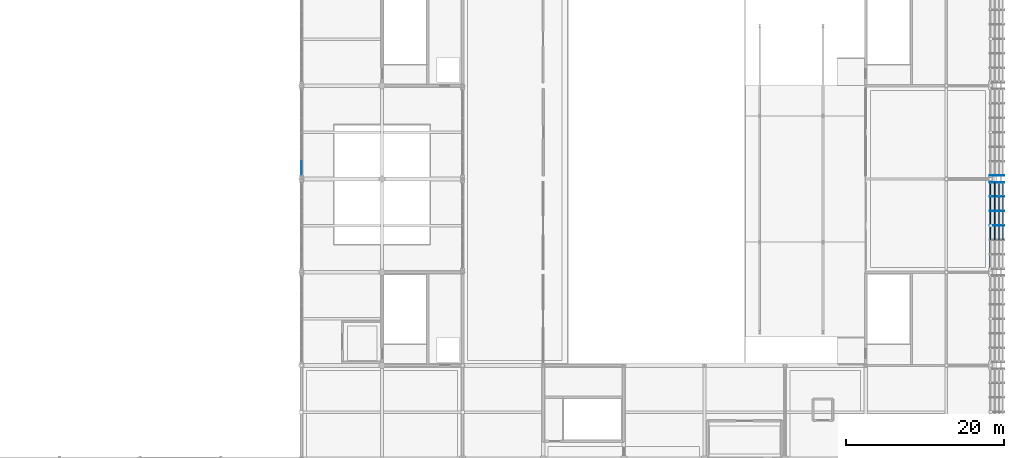
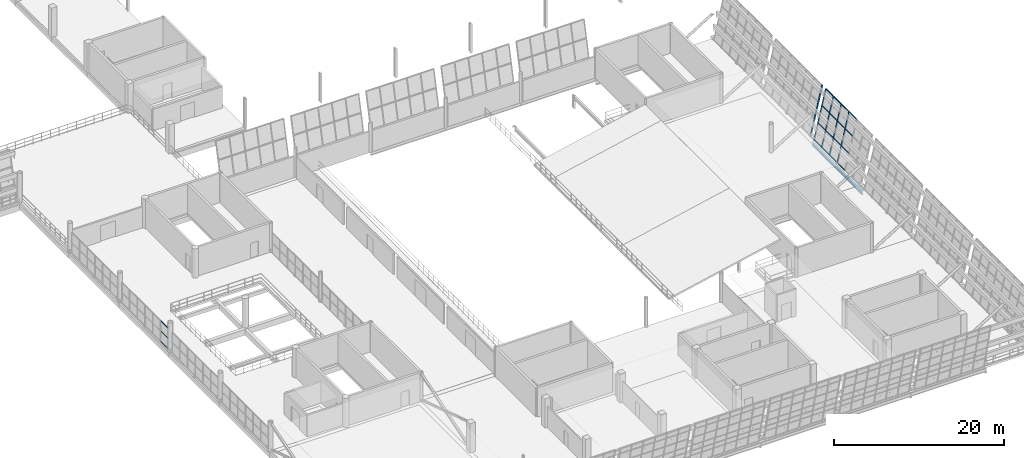
# One storey, part 68 of 157: 24 members, 1 beam, 3 elements without a shape of their own.
"""IFC4 building model written with IfcOpenShell, lengths in metres."""

from ifc_helpers import new_model, si_unit, direction, frame, origin, origin_2d, place, context, subcontext, project, spatial, hollow_rectangle, i_section, extrude, material, material_profile, profile_set, type_object, element, aggregate, save


model = new_model("IFC4")

# Units and contexts
model_context = context("Model", 3, precision=1e-05, world=origin(), true_north=direction((0.0, 1.0)))
body_context = subcontext(model_context, "Body", "Model", "MODEL_VIEW")
ifc_project = project(units=[si_unit("LENGTHUNIT", "METRE"), si_unit("AREAUNIT", "SQUARE_METRE"), si_unit("VOLUMEUNIT", "CUBIC_METRE"), si_unit("PLANEANGLEUNIT", "RADIAN"), si_unit("MASSUNIT", "GRAM", prefix="KILO")], contexts=[model_context])

# Site, building, storey
site_placement = place(None, origin())
site = spatial("IfcSite", under=ifc_project, at=site_placement, CompositionType="ELEMENT")
building_placement = place(site_placement, origin())
building = spatial("IfcBuilding", under=site, at=building_placement, Name="Brelvane Convention Centre", CompositionType="ELEMENT")
storey_placement = place(building_placement, frame((0.0, 0.0, 10.800048828125)))
storey = spatial("IfcBuildingStorey", under=building, at=storey_placement, Name="L02", CompositionType="ELEMENT", Elevation=10.800048828125)

# Curtain wall, members
ifc_material_1 = material(Name="Anodised Aluminium Alloy 6063-T6", Category="aluminium")
curtain_wall_type_1 = type_object("IfcCurtainWallType", Name="Curtain Wall CW-PLEN-E", PredefinedType="USERDEFINED", material=ifc_material_1)
curtain_wall_1_placement = place(storey_placement, origin())
curtain_wall_1 = element("IfcCurtainWall", 1, at=curtain_wall_1_placement, inside=storey, type_object=curtain_wall_type_1, Name="Curtain Wall CW-PLEN-E L02-HULL-E-L02-4", ObjectType="UNITISED", PredefinedType="USERDEFINED")
ifc_material_2 = material(Name="Anodised Aluminium Alloy 6063-T6", Category="aluminium")
ifc_material_profile_1 = material_profile(ifc_material_2, hollow_rectangle(XDim=0.074951171875, YDim=0.199951171875, WallThickness=0.0048828125, InnerFilletRadius=0.0048828125, OuterFilletRadius=0.010009765625, at=origin_2d()), Name="ALU-M 200x75x5.0")
ifc_profile_set_1 = profile_set([ifc_material_profile_1], Name="Anodised Aluminium Alloy 6063-T6")
member_type_1 = type_object("IfcMemberType", Name="Curtain Mullion CW-M2", PredefinedType="MULLION", material=ifc_profile_set_1)
member_1_placement = place(storey_placement, frame((230.0, 58.300048828125, 0.0), z_axis=(0.228360410362, 0.0, 0.973576665178), x_axis=(0.0, 1.0, 0.0)))
member_1 = element("IfcMember", 2, at=member_1_placement, type_object=member_type_1, Name="CW-PLEN-E mullion 4", PredefinedType="MULLION", context=body_context, shape_type="SweptSolid", body=[
    extrude(hollow_rectangle(XDim=0.074951171875, YDim=0.199951171875, WallThickness=0.0048828125, InnerFilletRadius=0.0048828125, OuterFilletRadius=0.010009765625, at=origin_2d()), origin(), (0.0, 0.0, 1.0), 7.03564453125),
])
member_2_placement = place(storey_placement, frame((230.0, 60.13330078125, 0.0), z_axis=(0.228360410362, 0.0, 0.973576665178), x_axis=(0.0, 1.0, 0.0)))
member_2 = element("IfcMember", 3, at=member_2_placement, type_object=member_type_1, Name="CW-PLEN-E mullion 5", PredefinedType="MULLION", context=body_context, shape_type="SweptSolid", body=[
    extrude(hollow_rectangle(XDim=0.074951171875, YDim=0.199951171875, WallThickness=0.0048828125, InnerFilletRadius=0.0048828125, OuterFilletRadius=0.010009765625, at=origin_2d()), origin(), (0.0, 0.0, 1.0), 7.03564453125),
])
member_3_placement = place(storey_placement, frame((230.0, 61.966552734375, 0.0), z_axis=(0.228360410362, 0.0, 0.973576665178), x_axis=(0.0, 1.0, 0.0)))
member_3 = element("IfcMember", 4, at=member_3_placement, type_object=member_type_1, Name="CW-PLEN-E mullion 6", PredefinedType="MULLION", context=body_context, shape_type="SweptSolid", body=[
    extrude(hollow_rectangle(XDim=0.074951171875, YDim=0.199951171875, WallThickness=0.0048828125, InnerFilletRadius=0.0048828125, OuterFilletRadius=0.010009765625, at=origin_2d()), origin(), (0.0, 0.0, 1.0), 7.03564453125),
])
member_4_placement = place(storey_placement, frame((230.0, 63.762451171875, 0.0), z_axis=(0.228360410362, 0.0, 0.973576665178), x_axis=(0.0, 1.0, 0.0)))
member_4 = element("IfcMember", 5, at=member_4_placement, type_object=member_type_1, Name="CW-PLEN-E mullion 7", PredefinedType="MULLION", context=body_context, shape_type="SweptSolid", body=[
    extrude(hollow_rectangle(XDim=0.074951171875, YDim=0.199951171875, WallThickness=0.0048828125, InnerFilletRadius=0.0048828125, OuterFilletRadius=0.010009765625, at=origin_2d()), origin(), (0.0, 0.0, 1.0), 7.03564453125),
])

# Curtain wall, member
curtain_wall_2_placement = place(storey_placement, origin())
curtain_wall_2 = element("IfcCurtainWall", 6, at=curtain_wall_2_placement, inside=storey, type_object=curtain_wall_type_1, Name="Curtain Wall CW-PLEN-E L02-HULL-E-L02-5", ObjectType="UNITISED", PredefinedType="USERDEFINED")
member_5_placement = place(storey_placement, frame((230.0, 64.637451171875, 0.0), z_axis=(0.228360410362, 0.0, 0.973576665178), x_axis=(0.0, 1.0, 0.0)))
member_5 = element("IfcMember", 7, at=member_5_placement, type_object=member_type_1, Name="CW-PLEN-E mullion 1", PredefinedType="MULLION", context=body_context, shape_type="SweptSolid", body=[
    extrude(hollow_rectangle(XDim=0.074951171875, YDim=0.199951171875, WallThickness=0.0048828125, InnerFilletRadius=0.0048828125, OuterFilletRadius=0.010009765625, at=origin_2d()), origin(), (0.0, 0.0, 1.0), 7.03564453125),
])
aggregate(curtain_wall_2, [member_5])

# Member
ifc_material_3 = material(Name="Anodised Aluminium Alloy 6063-T6", Category="aluminium")
ifc_material_profile_2 = material_profile(ifc_material_3, hollow_rectangle(XDim=0.070068359375, YDim=0.14990234375, WallThickness=0.00439453125, InnerFilletRadius=0.00439453125, OuterFilletRadius=0.009033203125, at=origin_2d()), Name="ALU-T 150x70x4.5")
ifc_profile_set_2 = profile_set([ifc_material_profile_2], Name="Anodised Aluminium Alloy 6063-T6")
member_type_2 = type_object("IfcMemberType", Name="Curtain Transom CW-T2", PredefinedType="USERDEFINED", material=ifc_profile_set_2)
member_6_placement = place(storey_placement, frame((230.00830078125, 56.504150390625, 0.034912109375), z_axis=(0.0, 1.0, 0.0), x_axis=(-1.0, 0.0, 0.0)))
member_6 = element("IfcMember", 8, at=member_6_placement, type_object=member_type_2, Name="CW-PLEN-E transom 3.1", ObjectType="TRANSOM", PredefinedType="USERDEFINED", context=body_context, shape_type="SweptSolid", body=[
    extrude(hollow_rectangle(XDim=0.070068359375, YDim=0.14990234375, WallThickness=0.00439453125, InnerFilletRadius=0.00439453125, OuterFilletRadius=0.009033203125, at=origin_2d()), origin(), (0.0, 0.0, 1.0), 1.75830078125),
])

member_7_placement = place(storey_placement, frame((230.53564453125, 56.504150390625, 2.283203125), z_axis=(0.0, 1.0, 0.0), x_axis=(-1.0, 0.0, 0.0)))
member_7 = element("IfcMember", 9, at=member_7_placement, type_object=member_type_2, Name="CW-PLEN-E transom 3.2", ObjectType="TRANSOM", PredefinedType="USERDEFINED", context=body_context, shape_type="SweptSolid", body=[
    extrude(hollow_rectangle(XDim=0.070068359375, YDim=0.14990234375, WallThickness=0.00439453125, InnerFilletRadius=0.00439453125, OuterFilletRadius=0.009033203125, at=origin_2d()), origin(), (0.0, 0.0, 1.0), 1.75830078125),
])

member_8_placement = place(storey_placement, frame((231.071044921875, 56.504150390625, 4.566650390625), z_axis=(0.0, 1.0, 0.0), x_axis=(-1.0, 0.0, 0.0)))
member_8 = element("IfcMember", 10, at=member_8_placement, type_object=member_type_2, Name="CW-PLEN-E transom 3.3", ObjectType="TRANSOM", PredefinedType="USERDEFINED", context=body_context, shape_type="SweptSolid", body=[
    extrude(hollow_rectangle(XDim=0.070068359375, YDim=0.14990234375, WallThickness=0.00439453125, InnerFilletRadius=0.00439453125, OuterFilletRadius=0.009033203125, at=origin_2d()), origin(), (0.0, 0.0, 1.0), 1.75830078125),
])

member_9_placement = place(storey_placement, frame((231.598388671875, 56.504150390625, 6.81494140625), z_axis=(0.0, 1.0, 0.0), x_axis=(-1.0, 0.0, 0.0)))
member_9 = element("IfcMember", 11, at=member_9_placement, type_object=member_type_2, Name="CW-PLEN-E transom 3.4", ObjectType="TRANSOM", PredefinedType="USERDEFINED", context=body_context, shape_type="SweptSolid", body=[
    extrude(hollow_rectangle(XDim=0.070068359375, YDim=0.14990234375, WallThickness=0.00439453125, InnerFilletRadius=0.00439453125, OuterFilletRadius=0.009033203125, at=origin_2d()), origin(), (0.0, 0.0, 1.0), 1.75830078125),
])

member_10_placement = place(storey_placement, frame((230.00830078125, 58.33740234375, 0.034912109375), z_axis=(0.0, 1.0, 0.0), x_axis=(-1.0, 0.0, 0.0)))
member_10 = element("IfcMember", 12, at=member_10_placement, type_object=member_type_2, Name="CW-PLEN-E transom 4.1", ObjectType="TRANSOM", PredefinedType="USERDEFINED", context=body_context, shape_type="SweptSolid", body=[
    extrude(hollow_rectangle(XDim=0.070068359375, YDim=0.14990234375, WallThickness=0.00439453125, InnerFilletRadius=0.00439453125, OuterFilletRadius=0.009033203125, at=origin_2d()), origin(), (0.0, 0.0, 1.0), 1.758544921875),
])

member_11_placement = place(storey_placement, frame((230.53564453125, 58.33740234375, 2.283203125), z_axis=(0.0, 1.0, 0.0), x_axis=(-1.0, 0.0, 0.0)))
member_11 = element("IfcMember", 13, at=member_11_placement, type_object=member_type_2, Name="CW-PLEN-E transom 4.2", ObjectType="TRANSOM", PredefinedType="USERDEFINED", context=body_context, shape_type="SweptSolid", body=[
    extrude(hollow_rectangle(XDim=0.070068359375, YDim=0.14990234375, WallThickness=0.00439453125, InnerFilletRadius=0.00439453125, OuterFilletRadius=0.009033203125, at=origin_2d()), origin(), (0.0, 0.0, 1.0), 1.758544921875),
])

member_12_placement = place(storey_placement, frame((231.071044921875, 58.33740234375, 4.566650390625), z_axis=(0.0, 1.0, 0.0), x_axis=(-1.0, 0.0, 0.0)))
member_12 = element("IfcMember", 14, at=member_12_placement, type_object=member_type_2, Name="CW-PLEN-E transom 4.3", ObjectType="TRANSOM", PredefinedType="USERDEFINED", context=body_context, shape_type="SweptSolid", body=[
    extrude(hollow_rectangle(XDim=0.070068359375, YDim=0.14990234375, WallThickness=0.00439453125, InnerFilletRadius=0.00439453125, OuterFilletRadius=0.009033203125, at=origin_2d()), origin(), (0.0, 0.0, 1.0), 1.758544921875),
])

member_13_placement = place(storey_placement, frame((231.598388671875, 58.33740234375, 6.81494140625), z_axis=(0.0, 1.0, 0.0), x_axis=(-1.0, 0.0, 0.0)))
member_13 = element("IfcMember", 15, at=member_13_placement, type_object=member_type_2, Name="CW-PLEN-E transom 4.4", ObjectType="TRANSOM", PredefinedType="USERDEFINED", context=body_context, shape_type="SweptSolid", body=[
    extrude(hollow_rectangle(XDim=0.070068359375, YDim=0.14990234375, WallThickness=0.00439453125, InnerFilletRadius=0.00439453125, OuterFilletRadius=0.009033203125, at=origin_2d()), origin(), (0.0, 0.0, 1.0), 1.758544921875),
])

member_14_placement = place(storey_placement, frame((230.00830078125, 60.1708984375, 0.034912109375), z_axis=(0.0, 1.0, 0.0), x_axis=(-1.0, 0.0, 0.0)))
member_14 = element("IfcMember", 16, at=member_14_placement, type_object=member_type_2, Name="CW-PLEN-E transom 5.1", ObjectType="TRANSOM", PredefinedType="USERDEFINED", context=body_context, shape_type="SweptSolid", body=[
    extrude(hollow_rectangle(XDim=0.070068359375, YDim=0.14990234375, WallThickness=0.00439453125, InnerFilletRadius=0.00439453125, OuterFilletRadius=0.009033203125, at=origin_2d()), origin(), (0.0, 0.0, 1.0), 1.75830078125),
])

member_15_placement = place(storey_placement, frame((230.53564453125, 60.1708984375, 2.283203125), z_axis=(0.0, 1.0, 0.0), x_axis=(-1.0, 0.0, 0.0)))
member_15 = element("IfcMember", 17, at=member_15_placement, type_object=member_type_2, Name="CW-PLEN-E transom 5.2", ObjectType="TRANSOM", PredefinedType="USERDEFINED", context=body_context, shape_type="SweptSolid", body=[
    extrude(hollow_rectangle(XDim=0.070068359375, YDim=0.14990234375, WallThickness=0.00439453125, InnerFilletRadius=0.00439453125, OuterFilletRadius=0.009033203125, at=origin_2d()), origin(), (0.0, 0.0, 1.0), 1.75830078125),
])

member_16_placement = place(storey_placement, frame((231.071044921875, 60.1708984375, 4.566650390625), z_axis=(0.0, 1.0, 0.0), x_axis=(-1.0, 0.0, 0.0)))
member_16 = element("IfcMember", 18, at=member_16_placement, type_object=member_type_2, Name="CW-PLEN-E transom 5.3", ObjectType="TRANSOM", PredefinedType="USERDEFINED", context=body_context, shape_type="SweptSolid", body=[
    extrude(hollow_rectangle(XDim=0.070068359375, YDim=0.14990234375, WallThickness=0.00439453125, InnerFilletRadius=0.00439453125, OuterFilletRadius=0.009033203125, at=origin_2d()), origin(), (0.0, 0.0, 1.0), 1.75830078125),
])

member_17_placement = place(storey_placement, frame((231.598388671875, 60.1708984375, 6.81494140625), z_axis=(0.0, 1.0, 0.0), x_axis=(-1.0, 0.0, 0.0)))
member_17 = element("IfcMember", 19, at=member_17_placement, type_object=member_type_2, Name="CW-PLEN-E transom 5.4", ObjectType="TRANSOM", PredefinedType="USERDEFINED", context=body_context, shape_type="SweptSolid", body=[
    extrude(hollow_rectangle(XDim=0.070068359375, YDim=0.14990234375, WallThickness=0.00439453125, InnerFilletRadius=0.00439453125, OuterFilletRadius=0.009033203125, at=origin_2d()), origin(), (0.0, 0.0, 1.0), 1.75830078125),
])

member_18_placement = place(storey_placement, frame((230.00830078125, 62.004150390625, 0.034912109375), z_axis=(0.0, 1.0, 0.0), x_axis=(-1.0, 0.0, 0.0)))
member_18 = element("IfcMember", 20, at=member_18_placement, type_object=member_type_2, Name="CW-PLEN-E transom 6.1", ObjectType="TRANSOM", PredefinedType="USERDEFINED", context=body_context, shape_type="SweptSolid", body=[
    extrude(hollow_rectangle(XDim=0.070068359375, YDim=0.14990234375, WallThickness=0.00439453125, InnerFilletRadius=0.00439453125, OuterFilletRadius=0.009033203125, at=origin_2d()), origin(), (0.0, 0.0, 1.0), 1.720947265625),
])

member_19_placement = place(storey_placement, frame((230.53564453125, 62.004150390625, 2.283203125), z_axis=(0.0, 1.0, 0.0), x_axis=(-1.0, 0.0, 0.0)))
member_19 = element("IfcMember", 21, at=member_19_placement, type_object=member_type_2, Name="CW-PLEN-E transom 6.2", ObjectType="TRANSOM", PredefinedType="USERDEFINED", context=body_context, shape_type="SweptSolid", body=[
    extrude(hollow_rectangle(XDim=0.070068359375, YDim=0.14990234375, WallThickness=0.00439453125, InnerFilletRadius=0.00439453125, OuterFilletRadius=0.009033203125, at=origin_2d()), origin(), (0.0, 0.0, 1.0), 1.720947265625),
])

member_20_placement = place(storey_placement, frame((231.071044921875, 62.004150390625, 4.566650390625), z_axis=(0.0, 1.0, 0.0), x_axis=(-1.0, 0.0, 0.0)))
member_20 = element("IfcMember", 22, at=member_20_placement, type_object=member_type_2, Name="CW-PLEN-E transom 6.3", ObjectType="TRANSOM", PredefinedType="USERDEFINED", context=body_context, shape_type="SweptSolid", body=[
    extrude(hollow_rectangle(XDim=0.070068359375, YDim=0.14990234375, WallThickness=0.00439453125, InnerFilletRadius=0.00439453125, OuterFilletRadius=0.009033203125, at=origin_2d()), origin(), (0.0, 0.0, 1.0), 1.720947265625),
])

member_21_placement = place(storey_placement, frame((231.598388671875, 62.004150390625, 6.81494140625), z_axis=(0.0, 1.0, 0.0), x_axis=(-1.0, 0.0, 0.0)))
member_21 = element("IfcMember", 23, at=member_21_placement, type_object=member_type_2, Name="CW-PLEN-E transom 6.4", ObjectType="TRANSOM", PredefinedType="USERDEFINED", context=body_context, shape_type="SweptSolid", body=[
    extrude(hollow_rectangle(XDim=0.070068359375, YDim=0.14990234375, WallThickness=0.00439453125, InnerFilletRadius=0.00439453125, OuterFilletRadius=0.009033203125, at=origin_2d()), origin(), (0.0, 0.0, 1.0), 1.720947265625),
])

aggregate(curtain_wall_1, [member_1, member_2, member_3, member_4, member_6, member_7, member_8, member_9, member_10, member_11, member_12, member_13, member_14, member_15, member_16, member_17, member_18, member_19, member_20, member_21])

# Curtain wall, members
ifc_material_4 = material(Name="Anodised Aluminium Alloy 6063-T6", Category="aluminium")
curtain_wall_type_2 = type_object("IfcCurtainWallType", Name="Curtain Wall CW-CONC", PredefinedType="USERDEFINED", material=ifc_material_4)
curtain_wall_3_placement = place(storey_placement, origin())
curtain_wall_3 = element("IfcCurtainWall", 24, at=curtain_wall_3_placement, inside=storey, type_object=curtain_wall_type_2, Name="Curtain Wall CW-CONC L02-GAL-ATRIUM-W-3", ObjectType="UNITISED", PredefinedType="USERDEFINED")
ifc_material_5 = material(Name="Anodised Aluminium Alloy 6063-T6", Category="aluminium")
ifc_material_profile_3 = material_profile(ifc_material_5, hollow_rectangle(XDim=0.06005859375, YDim=0.1201171875, WallThickness=0.00390625, InnerFilletRadius=0.00390625, OuterFilletRadius=0.008056640625, at=origin_2d()), Name="ALU-T 120x60x4.0")
ifc_profile_set_3 = profile_set([ifc_material_profile_3], Name="Anodised Aluminium Alloy 6063-T6")
member_type_3 = type_object("IfcMemberType", Name="Curtain Transom CW-T3", PredefinedType="USERDEFINED", material=ifc_profile_set_3)
member_22_placement = place(storey_placement, frame((142.800048828125, 64.715087890625, 0.030029296875), z_axis=(0.0, 1.0, 0.0), x_axis=(-1.0, 0.0, 0.0)))
member_22 = element("IfcMember", 25, at=member_22_placement, type_object=member_type_3, Name="CW-CONC transom 1.1", ObjectType="TRANSOM", PredefinedType="USERDEFINED", context=body_context, shape_type="SweptSolid", body=[
    extrude(hollow_rectangle(XDim=0.06005859375, YDim=0.1201171875, WallThickness=0.00390625, InnerFilletRadius=0.00390625, OuterFilletRadius=0.008056640625, at=origin_2d()), origin(), (0.0, 0.0, 1.0), 1.718994140625),
])
member_23_placement = place(storey_placement, frame((142.800048828125, 64.715087890625, 1.5), z_axis=(0.0, 1.0, 0.0), x_axis=(-1.0, 0.0, 0.0)))
member_23 = element("IfcMember", 26, at=member_23_placement, type_object=member_type_3, Name="CW-CONC transom 1.2", ObjectType="TRANSOM", PredefinedType="USERDEFINED", context=body_context, shape_type="SweptSolid", body=[
    extrude(hollow_rectangle(XDim=0.06005859375, YDim=0.1201171875, WallThickness=0.00390625, InnerFilletRadius=0.00390625, OuterFilletRadius=0.008056640625, at=origin_2d()), origin(), (0.0, 0.0, 1.0), 1.718994140625),
])
member_24_placement = place(storey_placement, frame((142.800048828125, 64.715087890625, 2.969970703125), z_axis=(0.0, 1.0, 0.0), x_axis=(-1.0, 0.0, 0.0)))
member_24 = element("IfcMember", 27, at=member_24_placement, type_object=member_type_3, Name="CW-CONC transom 1.3", ObjectType="TRANSOM", PredefinedType="USERDEFINED", context=body_context, shape_type="SweptSolid", body=[
    extrude(hollow_rectangle(XDim=0.06005859375, YDim=0.1201171875, WallThickness=0.00390625, InnerFilletRadius=0.00390625, OuterFilletRadius=0.008056640625, at=origin_2d()), origin(), (0.0, 0.0, 1.0), 1.718994140625),
])
aggregate(curtain_wall_3, [member_22, member_23, member_24])

# Beam
ifc_material_6 = material(Name="Steel E350 (350 MPa)", Category="steel")
ifc_material_profile_4 = material_profile(ifc_material_6, i_section(OverallWidth=0.25, OverallDepth=0.5, WebThickness=0.010009765625, FlangeThickness=0.0146484375, FilletRadius=0.01611328125, at=origin_2d()), Name="ISWB 500")
ifc_profile_set_4 = profile_set([ifc_material_profile_4], Name="Steel E350 (350 MPa)")
beam_type = type_object("IfcBeamType", Name="Steel Spandrel SP-ST1 (ISWB 500)", PredefinedType="SPANDREL", material=ifc_profile_set_4)
beam_placement = place(storey_placement, frame((230.0, 52.39990234375, -0.679931640625), z_axis=(0.0, 1.0, 0.0), x_axis=(-1.0, 0.0, 0.0)))
element("IfcBeam", 28, at=beam_placement, inside=storey, type_object=beam_type, Name="L02 Plenary Overhang Tip Spandrel 4", PredefinedType="SPANDREL", context=body_context, shape_type="SweptSolid", body=[
    extrude(i_section(OverallWidth=0.25, OverallDepth=0.5, WebThickness=0.010009765625, FlangeThickness=0.0146484375, FilletRadius=0.01611328125, at=origin_2d()), origin(), (0.0, 0.0, 1.0), 11.800048828125),
])

save(model, "model.ifc")
